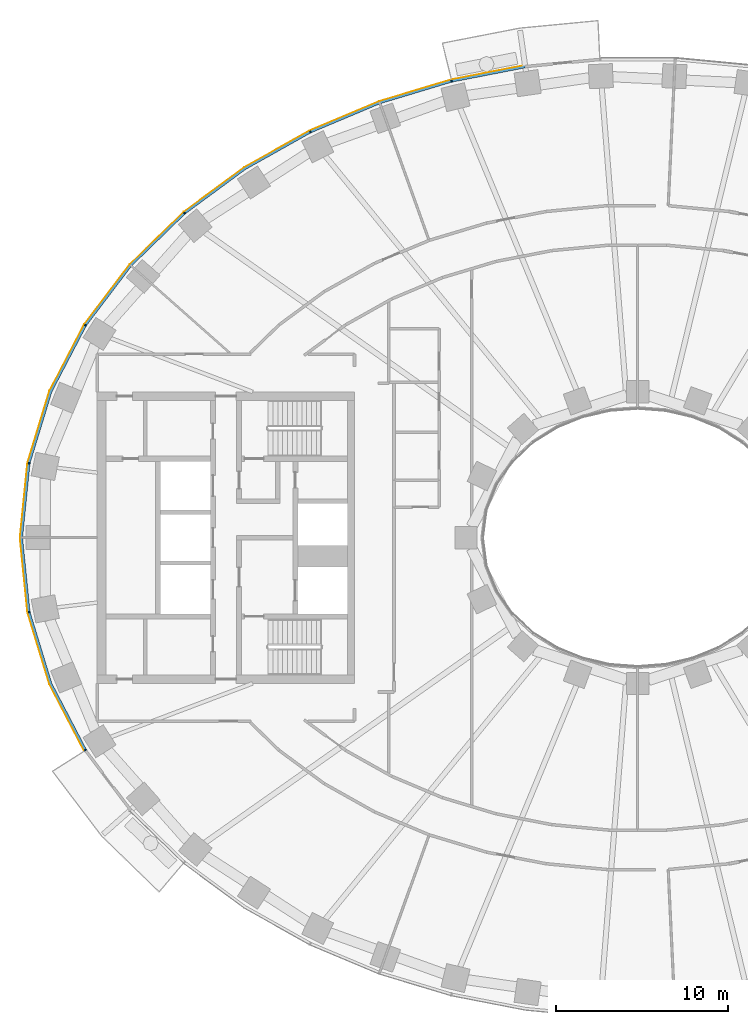
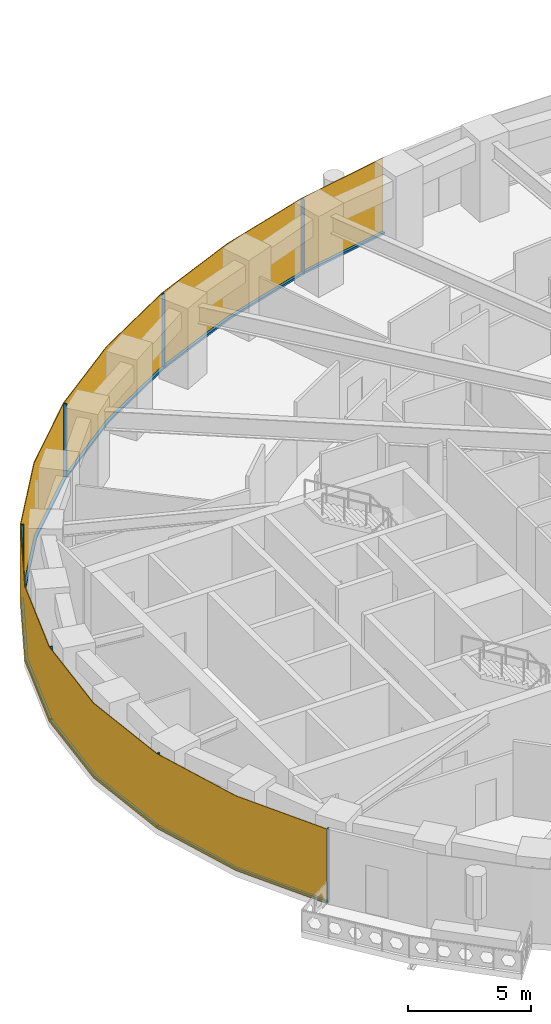
# One storey, part 11 of 16: 14 members, 1 curtain wall.
"""IFC4 building model written with IfcOpenShell, lengths in metres."""

from ifc_helpers import new_model, si_unit, direction, frame, origin, origin_2d, place, context, subcontext, project, spatial, polyline, rectangle, outline, extrude, material, layer, layer_set, material_profile, profile_set, type_object, element, aggregate, save


model = new_model("IFC4")

# Units and contexts
model_context = context("Model", 3, precision=1e-05, world=origin(), true_north=direction((0.0, 1.0)))
body_context = subcontext(model_context, "Body", "Model", "MODEL_VIEW")
ifc_project = project(units=[si_unit("LENGTHUNIT", "METRE"), si_unit("AREAUNIT", "SQUARE_METRE"), si_unit("VOLUMEUNIT", "CUBIC_METRE"), si_unit("PLANEANGLEUNIT", "RADIAN"), si_unit("MASSUNIT", "GRAM", prefix="KILO")], contexts=[model_context])

# Member
ifc_material_1 = material(Name="Aluminium 6063-T6 black anodised", Category="aluminium")
ifc_material_profile = material_profile(ifc_material_1, rectangle(XDim=0.1201171875, YDim=0.06005859375, at=origin_2d()), Name="120x60")
ifc_profile_set = profile_set([ifc_material_profile], Name="Aluminium 6063-T6 black anodised")
member_type_1 = type_object("IfcMemberType", Name="ENV-MULLION-A-120", PredefinedType="MULLION", material=ifc_profile_set)
site_placement = place(None, origin())
building_placement = place(site_placement, origin())
storey_placement = place(building_placement, frame((0.0, 0.0, 78.5)))
member_1_placement = place(storey_placement, frame((-10.84326171875, 26.60498046875, 0.0), z_axis=(0.0, 0.0, 1.0), x_axis=(0.239799081534, -0.970822538106, 0.0)))
member_1 = element("IfcMember", 1, at=member_1_placement, type_object=member_type_1, Name="Mullion A radial 15", PredefinedType="MULLION", context=body_context, shape_type="SweptSolid", body=[
    extrude(rectangle(XDim=0.1201171875, YDim=0.06005859375, at=origin_2d()), origin(), (0.0, 0.0, 1.0), 3.699951171875),
])

member_2_placement = place(storey_placement, frame((-19.06787109375, 23.6474609375, 0.0), z_axis=(0.0, 0.0, 1.0), x_axis=(0.439237769837, -0.898370848563, 0.0)))
member_2 = element("IfcMember", 2, at=member_2_placement, type_object=member_type_1, Name="Mullion A radial 17", PredefinedType="MULLION", context=body_context, shape_type="SweptSolid", body=[
    extrude(rectangle(XDim=0.1201171875, YDim=0.06005859375, at=origin_2d()), origin(), (0.0, 0.0, 1.0), 3.699951171875),
])

member_3_placement = place(storey_placement, frame((-26.403564453125, 18.9130859375, 0.0), z_axis=(0.0, 0.0, 1.0), x_axis=(0.646451313783, -0.762955240435, 0.0)))
member_3 = element("IfcMember", 3, at=member_3_placement, type_object=member_type_1, Name="Mullion A radial 19", PredefinedType="MULLION", context=body_context, shape_type="SweptSolid", body=[
    extrude(rectangle(XDim=0.1201171875, YDim=0.06005859375, at=origin_2d()), origin(), (0.0, 0.0, 1.0), 3.699951171875),
])

member_4_placement = place(storey_placement, frame((-32.177490234375, 12.385498046875, 0.0), z_axis=(0.0, 0.0, 1.0), x_axis=(0.844829880882, -0.53503501976, 0.0)))
member_4 = element("IfcMember", 4, at=member_4_placement, type_object=member_type_1, Name="Mullion A radial 21", PredefinedType="MULLION", context=body_context, shape_type="SweptSolid", body=[
    extrude(rectangle(XDim=0.1201171875, YDim=0.06005859375, at=origin_2d()), origin(), (0.0, 0.0, 1.0), 3.699951171875),
])

member_5_placement = place(storey_placement, frame((-35.470947265625, 4.340576171875, 0.0), z_axis=(0.0, 0.0, 1.0), x_axis=(0.980379083141, -0.19712141776, 0.0)))
member_5 = element("IfcMember", 5, at=member_5_placement, type_object=member_type_1, Name="Mullion A radial 23", PredefinedType="MULLION", context=body_context, shape_type="SweptSolid", body=[
    extrude(rectangle(XDim=0.1201171875, YDim=0.06005859375, at=origin_2d()), origin(), (0.0, 0.0, 1.0), 3.699951171875),
])

member_6_placement = place(storey_placement, frame((-35.470947265625, -4.340576171875, 0.0), z_axis=(0.0, 0.0, 1.0), x_axis=(0.980379083141, 0.19712141776, 0.0)))
member_6 = element("IfcMember", 6, at=member_6_placement, type_object=member_type_1, Name="Mullion A radial 25", PredefinedType="MULLION", context=body_context, shape_type="SweptSolid", body=[
    extrude(rectangle(XDim=0.1201171875, YDim=0.06005859375, at=origin_2d()), origin(), (0.0, 0.0, 1.0), 3.699951171875),
])

member_7_placement = place(storey_placement, frame((-32.177490234375, -12.385498046875, 0.0), z_axis=(0.0, 0.0, 1.0), x_axis=(0.844829880882, 0.53503501976, 0.0)))
member_7 = element("IfcMember", 7, at=member_7_placement, type_object=member_type_1, Name="Mullion A radial 27", PredefinedType="MULLION", context=body_context, shape_type="SweptSolid", body=[
    extrude(rectangle(XDim=0.1201171875, YDim=0.06005859375, at=origin_2d()), origin(), (0.0, 0.0, 1.0), 3.699951171875),
])

ifc_material_2 = material(Name="Aluminium 6063-T6 black anodised", Category="aluminium")
member_type_2 = type_object("IfcMemberType", Name="ENV-TRANSOM-A", PredefinedType="USERDEFINED", material=ifc_material_2)
member_8_placement = place(storey_placement, origin())
member_8 = element("IfcMember", 8, at=member_8_placement, type_object=member_type_2, Name="Transom A radial 14-15", ObjectType="TRANSOM", PredefinedType="USERDEFINED", context=body_context, shape_type="SweptSolid", body=[
    extrude(outline(polyline([(-6.57470703125, 27.49560546875), (-10.830078125, 26.66845703125), (-10.80126953125, 26.552001953125), (-6.5576171875, 27.376708984375), (-6.57470703125, 27.49560546875)])), origin(), (0.0, 0.0, 1.0), 0.10009765625),
])

member_9_placement = place(storey_placement, origin())
member_9 = element("IfcMember", 9, at=member_9_placement, type_object=member_type_2, Name="Transom A radial 15-17", ObjectType="TRANSOM", PredefinedType="USERDEFINED", context=body_context, shape_type="SweptSolid", body=[
    extrude(outline(polyline([(-10.884521484375, 26.655029296875), (-15.054443359375, 25.400146484375), (-19.068359375, 23.71240234375), (-19.015380859375, 23.604248046875), (-15.013916015625, 25.287109375), (-10.855712890625, 26.53857421875), (-10.884521484375, 26.655029296875)])), origin(), (0.0, 0.0, 1.0), 0.10009765625),
])

member_10_placement = place(storey_placement, origin())
member_10 = element("IfcMember", 10, at=member_10_placement, type_object=member_type_2, Name="Transom A radial 17-19", ObjectType="TRANSOM", PredefinedType="USERDEFINED", context=body_context, shape_type="SweptSolid", body=[
    extrude(outline(polyline([(-19.11865234375, 23.687744140625), (-22.9150390625, 21.556884765625), (-26.419921875, 18.975341796875), (-26.342041015625, 18.883544921875), (-22.85009765625, 21.455810546875), (-19.06591796875, 23.57958984375), (-19.11865234375, 23.687744140625)])), origin(), (0.0, 0.0, 1.0), 0.10009765625),
])

member_11_placement = place(storey_placement, origin())
member_11 = element("IfcMember", 11, at=member_11_placement, type_object=member_type_2, Name="Transom A radial 19-21", ObjectType="TRANSOM", PredefinedType="USERDEFINED", context=body_context, shape_type="SweptSolid", body=[
    extrude(outline(polyline([(-26.46240234375, 18.939208984375), (-29.58349609375, 15.906982421875), (-32.211181640625, 12.43994140625), (-32.109375, 12.37548828125), (-29.493408203125, 15.8271484375), (-26.384765625, 18.847412109375), (-26.46240234375, 18.939208984375)])), origin(), (0.0, 0.0, 1.0), 0.10009765625),
])

member_12_placement = place(storey_placement, origin())
member_12 = element("IfcMember", 12, at=member_12_placement, type_object=member_type_2, Name="Transom A radial 21-23", ObjectType="TRANSOM", PredefinedType="USERDEFINED", context=body_context, shape_type="SweptSolid", body=[
    extrude(outline(polyline([(-32.240966796875, 12.392578125), (-34.251220703125, 8.53662109375), (-35.521484375, 4.379150390625), (-35.4033203125, 4.355224609375), (-34.139892578125, 8.490966796875), (-32.139404296875, 12.328369140625), (-32.240966796875, 12.392578125)])), origin(), (0.0, 0.0, 1.0), 0.10009765625),
])

member_13_placement = place(storey_placement, origin())
member_13 = element("IfcMember", 13, at=member_13_placement, type_object=member_type_2, Name="Transom A radial 23-25", ObjectType="TRANSOM", PredefinedType="USERDEFINED", context=body_context, shape_type="SweptSolid", body=[
    extrude(outline(polyline([(-35.532470703125, 4.324462890625), (-35.9677734375, 0.0), (-35.532470703125, -4.324462890625), (-35.414306640625, -4.30078125), (-35.84716796875, 0.0), (-35.414306640625, 4.30078125), (-35.532470703125, 4.324462890625)])), origin(), (0.0, 0.0, 1.0), 0.10009765625),
])

member_14_placement = place(storey_placement, origin())
member_14 = element("IfcMember", 14, at=member_14_placement, type_object=member_type_2, Name="Transom A radial 25-27", ObjectType="TRANSOM", PredefinedType="USERDEFINED", context=body_context, shape_type="SweptSolid", body=[
    extrude(outline(polyline([(-35.521484375, -4.379150390625), (-34.251220703125, -8.53662109375), (-32.240966796875, -12.392578125), (-32.139404296875, -12.328369140625), (-34.139892578125, -8.490966796875), (-35.4033203125, -4.355224609375), (-35.521484375, -4.379150390625)])), origin(), (0.0, 0.0, 1.0), 0.10009765625),
])

# Site, building, storey
site = spatial("IfcSite", under=ifc_project, at=site_placement, CompositionType="ELEMENT")
building = spatial("IfcBuilding", under=site, at=building_placement, Name="Noorbagh Ring Tower", CompositionType="ELEMENT")
storey = spatial("IfcBuildingStorey", under=building, at=storey_placement, Name="L17", CompositionType="ELEMENT", Elevation=78.5)

# Curtain wall
ifc_material_3 = material(Name="Glass dark tinted laminated", Category="glass")
ifc_layer = layer(ifc_material_3, 0.031982421875)
ifc_layer_set = layer_set([ifc_layer], Name="Glass dark tinted laminated")
curtain_wall_type = type_object("IfcCurtainWallType", Name="ENV-CW-A", PredefinedType="NOTDEFINED", material=ifc_layer_set)
curtain_wall_placement = place(storey_placement, origin())
curtain_wall = element("IfcCurtainWall", 15, at=curtain_wall_placement, inside=storey, type_object=curtain_wall_type, Name="Curtain wall A R14", PredefinedType="NOTDEFINED", context=body_context, shape_type="SweptSolid", body=[
    extrude(outline(polyline([(-6.579345703125, 27.52734375), (-10.865234375, 26.6943359375), (-15.065185546875, 25.430419921875), (-19.108154296875, 23.730224609375), (-22.9326171875, 21.583740234375), (-26.463134765625, 18.9833984375), (-29.607666015625, 15.927978515625), (-32.255126953125, 12.434814453125), (-34.281005859375, 8.548828125), (-35.561279296875, 4.358642578125), (-36.0, 0.0), (-35.561279296875, -4.358642578125), (-34.281005859375, -8.548828125), (-32.264404296875, -12.4169921875), (-32.2373046875, -12.39990234375), (-34.251220703125, -8.53662109375), (-35.529541015625, -4.352294921875), (-35.9677734375, 0.0), (-35.529541015625, 4.352294921875), (-34.251220703125, 8.53662109375), (-32.22802734375, 12.41748046875), (-29.58349609375, 15.906982421875), (-26.4423828125, 18.958740234375), (-22.9150390625, 21.556884765625), (-19.093994140625, 23.701416015625), (-15.054443359375, 25.400146484375), (-10.857666015625, 26.6630859375), (-6.57470703125, 27.49560546875), (-6.579345703125, 27.52734375)])), origin(), (0.0, 0.0, 1.0), 3.699951171875),
])

aggregate(curtain_wall, [member_1, member_2, member_3, member_4, member_5, member_6, member_7, member_8, member_9, member_10, member_11, member_12, member_13, member_14])

save(model, "model.ifc")
